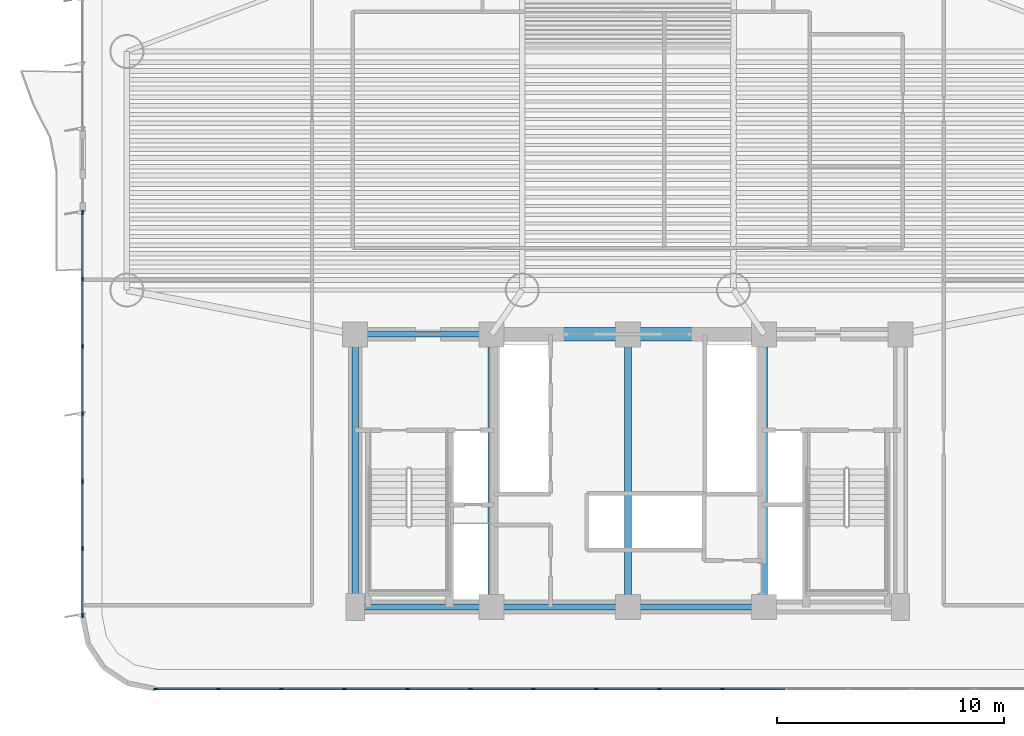
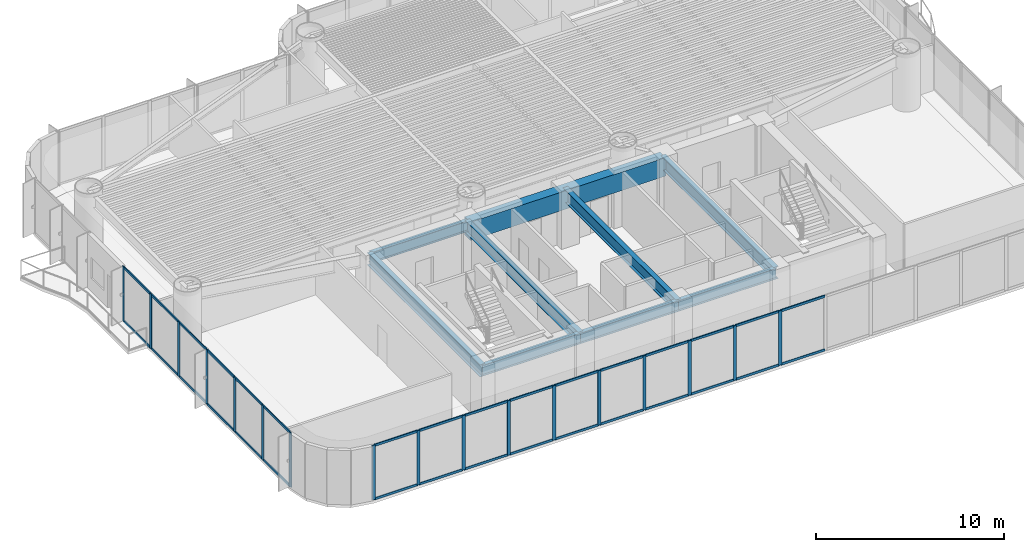
# One storey, part 2 of 16: 49 members, 9 beams, 2 elements without a shape of their own.
"""IFC4 building model written with IfcOpenShell, lengths in metres."""

from ifc_helpers import new_model, si_unit, direction, frame, origin, origin_2d, place, context, subcontext, project, spatial, rectangle, i_section, extrude, source, transform, mapped, material, layer, layer_set, material_profile, profile_set, type_object, element, aggregate, save


model = new_model("IFC4")

# Units and contexts
model_context = context("Model", 3, precision=1e-05, world=origin(), true_north=direction((0.0, 1.0)))
body_context = subcontext(model_context, "Body", "Model", "MODEL_VIEW")
ifc_project = project(units=[si_unit("LENGTHUNIT", "METRE"), si_unit("AREAUNIT", "SQUARE_METRE"), si_unit("VOLUMEUNIT", "CUBIC_METRE"), si_unit("PLANEANGLEUNIT", "RADIAN"), si_unit("MASSUNIT", "GRAM", prefix="KILO")], contexts=[model_context])

# Site, building, storey
site_placement = place(None, origin())
site = spatial("IfcSite", under=ifc_project, at=site_placement, CompositionType="ELEMENT")
building_placement = place(site_placement, origin())
building = spatial("IfcBuilding", under=site, at=building_placement, Name="Brelvock Crest Care Tower", CompositionType="ELEMENT")
storey_placement = place(building_placement, frame((0.0, 0.0, 57.239990234375)))
storey = spatial("IfcBuildingStorey", under=building, at=storey_placement, Name="L14", CompositionType="ELEMENT", Elevation=57.239990234375)

# Beams
ifc_material_1 = material(Name="Concrete S80 (80 MPa)", Category="concrete")
ifc_material_profile_1 = material_profile(ifc_material_1, rectangle(XDim=0.60009765625, YDim=1.199951171875, at=origin_2d()), Name="RC600x1200")
ifc_profile_set_1 = profile_set([ifc_material_profile_1], Name="Concrete S80 (80 MPa)")
beam_type_1 = type_object("IfcBeamType", Name="BM-LN1", PredefinedType="LINTEL", material=ifc_profile_set_1)
shared_shape_1 = source(origin(), body_context, "Body", "SweptSolid", [
    extrude(rectangle(XDim=0.60009765625, YDim=1.199951171875, at=origin_2d()), origin(), (0.0, 0.0, 1.0), 12.0),
])
beam_placement = place(storey_placement, frame((30.0, 18.0, 2.929931640625), z_axis=(1.0, 0.0, 0.0), x_axis=(0.0, 1.0, 0.0)))
element("IfcBeam", 1, at=beam_placement, inside=storey, type_object=beam_type_1, Name="L14 Core Coupling Lintel Beam", PredefinedType="LINTEL", context=body_context, shape_type="MappedRepresentation", body=[
    mapped(shared_shape_1, transform((0.0, 0.0, 0.0), x_axis=(1.0, 0.0, 0.0), y_axis=(0.0, 1.0, 0.0), z_axis=(0.0, 0.0, 1.0), scale=1.0)),
])
ifc_material_2 = material(Name="Steel Grade 350", Category="steel")
ifc_material_profile_2 = material_profile(ifc_material_2, i_section(OverallWidth=0.25, OverallDepth=0.699951171875, WebThickness=0.011962890625, FlangeThickness=0.02001953125, at=origin_2d()), Name="700WB150")
ifc_profile_set_2 = profile_set([ifc_material_profile_2], Name="Steel Grade 350")
beam_type_2 = type_object("IfcBeamType", Name="BM-G4", PredefinedType="BEAM", material=ifc_profile_set_2)
shared_shape_2 = source(origin(), body_context, "Body", "SweptSolid", [
    extrude(i_section(OverallWidth=0.25, OverallDepth=0.699951171875, WebThickness=0.011962890625, FlangeThickness=0.02001953125, at=origin_2d()), origin(), (0.0, 0.0, 1.0), 6.0),
])
for number, where, z_axis, x_axis, name in (
    (2, (24.0, 6.0, 3.179931640625), (1.0, 0.0, 0.0), (0.0, 1.0, 0.0), "BM-CORES-L14-1"),
    (3, (24.0, 18.0, 3.179931640625), (1.0, 0.0, 0.0), (0.0, 1.0, 0.0), "BM-COREN-L14-1"),
    (4, (30.0, 6.0, 3.179931640625), (1.0, 0.0, 0.0), (0.0, 1.0, 0.0), "BM-CORES-L14-2"),
    (5, (36.0, 6.0, 3.179931640625), (1.0, 0.0, 0.0), (0.0, 1.0, 0.0), "BM-CORES-L14-3"),
):
    element("IfcBeam", number, at=place(storey_placement, frame(where, z_axis=z_axis, x_axis=x_axis)), inside=storey, type_object=beam_type_2, Name=name, PredefinedType="BEAM", context=body_context, shape_type="MappedRepresentation", body=[
        mapped(shared_shape_2, transform((0.0, 0.0, 0.0), x_axis=(1.0, 0.0, 0.0), y_axis=(0.0, 1.0, 0.0), z_axis=(0.0, 0.0, 1.0), scale=1.0)),
    ])
ifc_material_profile_3 = material_profile(ifc_material_2, i_section(OverallWidth=0.300048828125, OverallDepth=0.800048828125, WebThickness=0.013916015625, FlangeThickness=0.02197265625, at=origin_2d()), Name="800WB192")
ifc_profile_set_3 = profile_set([ifc_material_profile_3], Name="Steel Grade 350")
beam_type_3 = type_object("IfcBeamType", Name="BM-G5", PredefinedType="BEAM", material=ifc_profile_set_3)
shared_shape_3 = source(origin(), body_context, "Body", "SweptSolid", [
    extrude(i_section(OverallWidth=0.300048828125, OverallDepth=0.800048828125, WebThickness=0.013916015625, FlangeThickness=0.02197265625, at=origin_2d()), origin(), (0.0, 0.0, 1.0), 12.0),
])
for number, where, z_axis, x_axis, name in (
    (6, (24.0, 6.0, 3.130126953125), (0.0, 1.0, 0.0), (-1.0, 0.0, 0.0), "BM-COREX-L14-1"),
    (7, (30.0, 6.0, 3.130126953125), (0.0, 1.0, 0.0), (-1.0, 0.0, 0.0), "BM-COREX-L14-2"),
    (8, (36.0, 6.0, 3.130126953125), (0.0, 1.0, 0.0), (-1.0, 0.0, 0.0), "BM-COREX-L14-3"),
    (9, (42.0, 6.0, 3.130126953125), (0.0, 1.0, 0.0), (-1.0, 0.0, 0.0), "BM-COREX-L14-4"),
):
    element("IfcBeam", number, at=place(storey_placement, frame(where, z_axis=z_axis, x_axis=x_axis)), inside=storey, type_object=beam_type_3, Name=name, PredefinedType="BEAM", context=body_context, shape_type="MappedRepresentation", body=[
        mapped(shared_shape_3, transform((0.0, 0.0, 0.0), x_axis=(1.0, 0.0, 0.0), y_axis=(0.0, 1.0, 0.0), z_axis=(0.0, 0.0, 1.0), scale=1.0)),
    ])

# Curtain wall, members
ifc_material_3 = material(Name="Dark Glass Double Glazed Low-E", Category="glass")
ifc_layer = layer(ifc_material_3, 0.195068359375, Name="CWS-2")
ifc_layer_set = layer_set([ifc_layer], Name="Dark Glass Double Glazed Low-E")
curtain_wall_type = type_object("IfcCurtainWallType", Name="CWS-2", PredefinedType="NOTDEFINED", material=ifc_layer_set)
curtain_wall_1_placement = place(storey_placement, origin())
curtain_wall_1 = element("IfcCurtainWall", 10, at=curtain_wall_1_placement, inside=storey, type_object=curtain_wall_type, Name="L14 Curtain Wall E08", PredefinedType="NOTDEFINED")
ifc_material_4 = material(Name="Aluminium 6063-T6", Category="aluminium")
ifc_material_profile_4 = material_profile(ifc_material_4, rectangle(XDim=0.06494140625, YDim=0.199951171875, at=origin_2d()), Name="ALU65x200")
ifc_profile_set_4 = profile_set([ifc_material_profile_4], Name="Aluminium 6063-T6")
member_type_1 = type_object("IfcMemberType", Name="CWM-1", PredefinedType="MULLION", material=ifc_profile_set_4)
shared_shape_4 = source(origin(), body_context, "Body", "SweptSolid", [
    extrude(rectangle(XDim=0.06494140625, YDim=0.199951171875, at=origin_2d()), origin(), (0.0, 0.0, 1.0), 3.530029296875),
])
member_1_placement = place(storey_placement, frame((40.159912109375, 2.39990234375, 0.0), z_axis=(0.0, 0.0, 1.0), x_axis=(0.0, -1.0, 0.0)))
member_1 = element("IfcMember", 11, at=member_1_placement, type_object=member_type_1, Name="CW-2 mullion 7", PredefinedType="MULLION", context=body_context, shape_type="MappedRepresentation", body=[
    mapped(shared_shape_4, transform((0.0, 0.0, 0.0), x_axis=(1.0, 0.0, 0.0), y_axis=(0.0, 1.0, 0.0), z_axis=(0.0, 0.0, 1.0), scale=1.0)),
])
member_2_placement = place(storey_placement, frame((37.38671875, 2.39990234375, 0.0), z_axis=(0.0, 0.0, 1.0), x_axis=(0.0, -1.0, 0.0)))
member_2 = element("IfcMember", 12, at=member_2_placement, type_object=member_type_1, Name="CW-2 mullion 8", PredefinedType="MULLION", context=body_context, shape_type="MappedRepresentation", body=[
    mapped(shared_shape_4, transform((0.0, 0.0, 0.0), x_axis=(1.0, 0.0, 0.0), y_axis=(0.0, 1.0, 0.0), z_axis=(0.0, 0.0, 1.0), scale=1.0)),
])
member_3_placement = place(storey_placement, frame((34.61328125, 2.39990234375, 0.0), z_axis=(0.0, 0.0, 1.0), x_axis=(0.0, -1.0, 0.0)))
member_3 = element("IfcMember", 13, at=member_3_placement, type_object=member_type_1, Name="CW-2 mullion 9", PredefinedType="MULLION", context=body_context, shape_type="MappedRepresentation", body=[
    mapped(shared_shape_4, transform((0.0, 0.0, 0.0), x_axis=(1.0, 0.0, 0.0), y_axis=(0.0, 1.0, 0.0), z_axis=(0.0, 0.0, 1.0), scale=1.0)),
])
member_4_placement = place(storey_placement, frame((31.840087890625, 2.39990234375, 0.0), z_axis=(0.0, 0.0, 1.0), x_axis=(0.0, -1.0, 0.0)))
member_4 = element("IfcMember", 14, at=member_4_placement, type_object=member_type_1, Name="CW-2 mullion 10", PredefinedType="MULLION", context=body_context, shape_type="MappedRepresentation", body=[
    mapped(shared_shape_4, transform((0.0, 0.0, 0.0), x_axis=(1.0, 0.0, 0.0), y_axis=(0.0, 1.0, 0.0), z_axis=(0.0, 0.0, 1.0), scale=1.0)),
])
member_5_placement = place(storey_placement, frame((29.066650390625, 2.39990234375, 0.0), z_axis=(0.0, 0.0, 1.0), x_axis=(0.0, -1.0, 0.0)))
member_5 = element("IfcMember", 15, at=member_5_placement, type_object=member_type_1, Name="CW-2 mullion 11", PredefinedType="MULLION", context=body_context, shape_type="MappedRepresentation", body=[
    mapped(shared_shape_4, transform((0.0, 0.0, 0.0), x_axis=(1.0, 0.0, 0.0), y_axis=(0.0, 1.0, 0.0), z_axis=(0.0, 0.0, 1.0), scale=1.0)),
])
member_6_placement = place(storey_placement, frame((26.293212890625, 2.39990234375, 0.0), z_axis=(0.0, 0.0, 1.0), x_axis=(0.0, -1.0, 0.0)))
member_6 = element("IfcMember", 16, at=member_6_placement, type_object=member_type_1, Name="CW-2 mullion 12", PredefinedType="MULLION", context=body_context, shape_type="MappedRepresentation", body=[
    mapped(shared_shape_4, transform((0.0, 0.0, 0.0), x_axis=(1.0, 0.0, 0.0), y_axis=(0.0, 1.0, 0.0), z_axis=(0.0, 0.0, 1.0), scale=1.0)),
])
member_7_placement = place(storey_placement, frame((23.52001953125, 2.39990234375, 0.0), z_axis=(0.0, 0.0, 1.0), x_axis=(0.0, -1.0, 0.0)))
member_7 = element("IfcMember", 17, at=member_7_placement, type_object=member_type_1, Name="CW-2 mullion 13", PredefinedType="MULLION", context=body_context, shape_type="MappedRepresentation", body=[
    mapped(shared_shape_4, transform((0.0, 0.0, 0.0), x_axis=(1.0, 0.0, 0.0), y_axis=(0.0, 1.0, 0.0), z_axis=(0.0, 0.0, 1.0), scale=1.0)),
])
member_8_placement = place(storey_placement, frame((20.74658203125, 2.39990234375, 0.0), z_axis=(0.0, 0.0, 1.0), x_axis=(0.0, -1.0, 0.0)))
member_8 = element("IfcMember", 18, at=member_8_placement, type_object=member_type_1, Name="CW-2 mullion 14", PredefinedType="MULLION", context=body_context, shape_type="MappedRepresentation", body=[
    mapped(shared_shape_4, transform((0.0, 0.0, 0.0), x_axis=(1.0, 0.0, 0.0), y_axis=(0.0, 1.0, 0.0), z_axis=(0.0, 0.0, 1.0), scale=1.0)),
])
member_9_placement = place(storey_placement, frame((17.973388671875, 2.39990234375, 0.0), z_axis=(0.0, 0.0, 1.0), x_axis=(0.0, -1.0, 0.0)))
member_9 = element("IfcMember", 19, at=member_9_placement, type_object=member_type_1, Name="CW-2 mullion 15", PredefinedType="MULLION", context=body_context, shape_type="MappedRepresentation", body=[
    mapped(shared_shape_4, transform((0.0, 0.0, 0.0), x_axis=(1.0, 0.0, 0.0), y_axis=(0.0, 1.0, 0.0), z_axis=(0.0, 0.0, 1.0), scale=1.0)),
])
member_10_placement = place(storey_placement, frame((15.232421875, 2.39990234375, 0.0), z_axis=(0.0, 0.0, 1.0), x_axis=(0.0, -1.0, 0.0)))
member_10 = element("IfcMember", 20, at=member_10_placement, type_object=member_type_1, Name="CW-2 mullion 16", PredefinedType="MULLION", context=body_context, shape_type="MappedRepresentation", body=[
    mapped(shared_shape_4, transform((0.0, 0.0, 0.0), x_axis=(1.0, 0.0, 0.0), y_axis=(0.0, 1.0, 0.0), z_axis=(0.0, 0.0, 1.0), scale=1.0)),
])

curtain_wall_2_placement = place(storey_placement, origin())
curtain_wall_2 = element("IfcCurtainWall", 21, at=curtain_wall_2_placement, inside=storey, type_object=curtain_wall_type, Name="L14 Curtain Wall E13A", PredefinedType="NOTDEFINED")
member_11_placement = place(storey_placement, frame((12.0, 5.632568359375, 0.0), z_axis=(0.0, 0.0, 1.0), x_axis=(-1.0, 0.0, 0.0)))
member_11 = element("IfcMember", 22, at=member_11_placement, type_object=member_type_1, Name="CW-2 mullion 1", PredefinedType="MULLION", context=body_context, shape_type="MappedRepresentation", body=[
    mapped(shared_shape_4, transform((0.0, 0.0, 0.0), x_axis=(1.0, 0.0, 0.0), y_axis=(0.0, 1.0, 0.0), z_axis=(0.0, 0.0, 1.0), scale=1.0)),
])
member_12_placement = place(storey_placement, frame((12.0, 8.566650390625, 0.0), z_axis=(0.0, 0.0, 1.0), x_axis=(-1.0, 0.0, 0.0)))
member_12 = element("IfcMember", 23, at=member_12_placement, type_object=member_type_1, Name="CW-2 mullion 2", PredefinedType="MULLION", context=body_context, shape_type="MappedRepresentation", body=[
    mapped(shared_shape_4, transform((0.0, 0.0, 0.0), x_axis=(1.0, 0.0, 0.0), y_axis=(0.0, 1.0, 0.0), z_axis=(0.0, 0.0, 1.0), scale=1.0)),
])
member_13_placement = place(storey_placement, frame((12.0, 11.533447265625, 0.0), z_axis=(0.0, 0.0, 1.0), x_axis=(-1.0, 0.0, 0.0)))
member_13 = element("IfcMember", 24, at=member_13_placement, type_object=member_type_1, Name="CW-2 mullion 3", PredefinedType="MULLION", context=body_context, shape_type="MappedRepresentation", body=[
    mapped(shared_shape_4, transform((0.0, 0.0, 0.0), x_axis=(1.0, 0.0, 0.0), y_axis=(0.0, 1.0, 0.0), z_axis=(0.0, 0.0, 1.0), scale=1.0)),
])
member_14_placement = place(storey_placement, frame((12.0, 14.5, 0.0), z_axis=(0.0, 0.0, 1.0), x_axis=(-1.0, 0.0, 0.0)))
member_14 = element("IfcMember", 25, at=member_14_placement, type_object=member_type_1, Name="CW-2 mullion 4", PredefinedType="MULLION", context=body_context, shape_type="MappedRepresentation", body=[
    mapped(shared_shape_4, transform((0.0, 0.0, 0.0), x_axis=(1.0, 0.0, 0.0), y_axis=(0.0, 1.0, 0.0), z_axis=(0.0, 0.0, 1.0), scale=1.0)),
])
member_15_placement = place(storey_placement, frame((12.0, 17.466552734375, 0.0), z_axis=(0.0, 0.0, 1.0), x_axis=(-1.0, 0.0, 0.0)))
member_15 = element("IfcMember", 26, at=member_15_placement, type_object=member_type_1, Name="CW-2 mullion 5", PredefinedType="MULLION", context=body_context, shape_type="MappedRepresentation", body=[
    mapped(shared_shape_4, transform((0.0, 0.0, 0.0), x_axis=(1.0, 0.0, 0.0), y_axis=(0.0, 1.0, 0.0), z_axis=(0.0, 0.0, 1.0), scale=1.0)),
])
member_16_placement = place(storey_placement, frame((12.0, 20.433349609375, 0.0), z_axis=(0.0, 0.0, 1.0), x_axis=(-1.0, 0.0, 0.0)))
member_16 = element("IfcMember", 27, at=member_16_placement, type_object=member_type_1, Name="CW-2 mullion 6", PredefinedType="MULLION", context=body_context, shape_type="MappedRepresentation", body=[
    mapped(shared_shape_4, transform((0.0, 0.0, 0.0), x_axis=(1.0, 0.0, 0.0), y_axis=(0.0, 1.0, 0.0), z_axis=(0.0, 0.0, 1.0), scale=1.0)),
])
member_17_placement = place(storey_placement, frame((12.0, 23.367431640625, 0.0), z_axis=(0.0, 0.0, 1.0), x_axis=(-1.0, 0.0, 0.0)))
member_17 = element("IfcMember", 28, at=member_17_placement, type_object=member_type_1, Name="CW-2 mullion 7", PredefinedType="MULLION", context=body_context, shape_type="MappedRepresentation", body=[
    mapped(shared_shape_4, transform((0.0, 0.0, 0.0), x_axis=(1.0, 0.0, 0.0), y_axis=(0.0, 1.0, 0.0), z_axis=(0.0, 0.0, 1.0), scale=1.0)),
])

# Member
ifc_material_profile_5 = material_profile(ifc_material_4, rectangle(XDim=0.06494140625, YDim=0.14990234375, at=origin_2d()), Name="ALU65x150")
ifc_profile_set_5 = profile_set([ifc_material_profile_5], Name="Aluminium 6063-T6")
member_type_2 = type_object("IfcMemberType", Name="CWT-1", PredefinedType="USERDEFINED", material=ifc_profile_set_5)
shared_shape_5 = source(origin(), body_context, "Body", "SweptSolid", [
    extrude(rectangle(XDim=0.06494140625, YDim=0.14990234375, at=origin_2d()), origin(), (0.0, 0.0, 1.0), 2.676025390625),
])
member_18_placement = place(storey_placement, frame((17.94091796875, 2.39990234375, 0.032470703125), z_axis=(-1.0, 0.0, 0.0), x_axis=(0.0, -1.0, 0.0)))
member_18 = element("IfcMember", 29, at=member_18_placement, type_object=member_type_2, Name="CW-2 transom 15.1", ObjectType="TRANSOM", PredefinedType="USERDEFINED", context=body_context, shape_type="MappedRepresentation", body=[
    mapped(shared_shape_5, transform((0.0, 0.0, 0.0), x_axis=(1.0, 0.0, 0.0), y_axis=(0.0, 1.0, 0.0), z_axis=(0.0, 0.0, 1.0), scale=1.0)),
])

member_19_placement = place(storey_placement, frame((17.94091796875, 2.39990234375, 3.49755859375), z_axis=(-1.0, 0.0, 0.0), x_axis=(0.0, -1.0, 0.0)))
member_19 = element("IfcMember", 30, at=member_19_placement, type_object=member_type_2, Name="CW-2 transom 15.2", ObjectType="TRANSOM", PredefinedType="USERDEFINED", context=body_context, shape_type="MappedRepresentation", body=[
    mapped(shared_shape_5, transform((0.0, 0.0, 0.0), x_axis=(1.0, 0.0, 0.0), y_axis=(0.0, 1.0, 0.0), z_axis=(0.0, 0.0, 1.0), scale=1.0)),
])

shared_shape_6 = source(origin(), body_context, "Body", "SweptSolid", [
    extrude(rectangle(XDim=0.06494140625, YDim=0.14990234375, at=origin_2d()), origin(), (0.0, 0.0, 1.0), 2.708251953125),
])
member_20_placement = place(storey_placement, frame((40.12744140625, 2.39990234375, 0.032470703125), z_axis=(-1.0, 0.0, 0.0), x_axis=(0.0, -1.0, 0.0)))
member_20 = element("IfcMember", 31, at=member_20_placement, type_object=member_type_2, Name="CW-2 transom 7.1", ObjectType="TRANSOM", PredefinedType="USERDEFINED", context=body_context, shape_type="MappedRepresentation", body=[
    mapped(shared_shape_6, transform((0.0, 0.0, 0.0), x_axis=(1.0, 0.0, 0.0), y_axis=(0.0, 1.0, 0.0), z_axis=(0.0, 0.0, 1.0), scale=1.0)),
])

member_21_placement = place(storey_placement, frame((40.12744140625, 2.39990234375, 3.49755859375), z_axis=(-1.0, 0.0, 0.0), x_axis=(0.0, -1.0, 0.0)))
member_21 = element("IfcMember", 32, at=member_21_placement, type_object=member_type_2, Name="CW-2 transom 7.2", ObjectType="TRANSOM", PredefinedType="USERDEFINED", context=body_context, shape_type="MappedRepresentation", body=[
    mapped(shared_shape_6, transform((0.0, 0.0, 0.0), x_axis=(1.0, 0.0, 0.0), y_axis=(0.0, 1.0, 0.0), z_axis=(0.0, 0.0, 1.0), scale=1.0)),
])

member_22_placement = place(storey_placement, frame((34.580810546875, 2.39990234375, 0.032470703125), z_axis=(-1.0, 0.0, 0.0), x_axis=(0.0, -1.0, 0.0)))
member_22 = element("IfcMember", 33, at=member_22_placement, type_object=member_type_2, Name="CW-2 transom 9.1", ObjectType="TRANSOM", PredefinedType="USERDEFINED", context=body_context, shape_type="MappedRepresentation", body=[
    mapped(shared_shape_6, transform((0.0, 0.0, 0.0), x_axis=(1.0, 0.0, 0.0), y_axis=(0.0, 1.0, 0.0), z_axis=(0.0, 0.0, 1.0), scale=1.0)),
])

member_23_placement = place(storey_placement, frame((34.580810546875, 2.39990234375, 3.49755859375), z_axis=(-1.0, 0.0, 0.0), x_axis=(0.0, -1.0, 0.0)))
member_23 = element("IfcMember", 34, at=member_23_placement, type_object=member_type_2, Name="CW-2 transom 9.2", ObjectType="TRANSOM", PredefinedType="USERDEFINED", context=body_context, shape_type="MappedRepresentation", body=[
    mapped(shared_shape_6, transform((0.0, 0.0, 0.0), x_axis=(1.0, 0.0, 0.0), y_axis=(0.0, 1.0, 0.0), z_axis=(0.0, 0.0, 1.0), scale=1.0)),
])

member_24_placement = place(storey_placement, frame((29.0341796875, 2.39990234375, 0.032470703125), z_axis=(-1.0, 0.0, 0.0), x_axis=(0.0, -1.0, 0.0)))
member_24 = element("IfcMember", 35, at=member_24_placement, type_object=member_type_2, Name="CW-2 transom 11.1", ObjectType="TRANSOM", PredefinedType="USERDEFINED", context=body_context, shape_type="MappedRepresentation", body=[
    mapped(shared_shape_6, transform((0.0, 0.0, 0.0), x_axis=(1.0, 0.0, 0.0), y_axis=(0.0, 1.0, 0.0), z_axis=(0.0, 0.0, 1.0), scale=1.0)),
])

member_25_placement = place(storey_placement, frame((29.0341796875, 2.39990234375, 3.49755859375), z_axis=(-1.0, 0.0, 0.0), x_axis=(0.0, -1.0, 0.0)))
member_25 = element("IfcMember", 36, at=member_25_placement, type_object=member_type_2, Name="CW-2 transom 11.2", ObjectType="TRANSOM", PredefinedType="USERDEFINED", context=body_context, shape_type="MappedRepresentation", body=[
    mapped(shared_shape_6, transform((0.0, 0.0, 0.0), x_axis=(1.0, 0.0, 0.0), y_axis=(0.0, 1.0, 0.0), z_axis=(0.0, 0.0, 1.0), scale=1.0)),
])

member_26_placement = place(storey_placement, frame((26.2607421875, 2.39990234375, 0.032470703125), z_axis=(-1.0, 0.0, 0.0), x_axis=(0.0, -1.0, 0.0)))
member_26 = element("IfcMember", 37, at=member_26_placement, type_object=member_type_2, Name="CW-2 transom 12.1", ObjectType="TRANSOM", PredefinedType="USERDEFINED", context=body_context, shape_type="MappedRepresentation", body=[
    mapped(shared_shape_6, transform((0.0, 0.0, 0.0), x_axis=(1.0, 0.0, 0.0), y_axis=(0.0, 1.0, 0.0), z_axis=(0.0, 0.0, 1.0), scale=1.0)),
])

member_27_placement = place(storey_placement, frame((26.2607421875, 2.39990234375, 3.49755859375), z_axis=(-1.0, 0.0, 0.0), x_axis=(0.0, -1.0, 0.0)))
member_27 = element("IfcMember", 38, at=member_27_placement, type_object=member_type_2, Name="CW-2 transom 12.2", ObjectType="TRANSOM", PredefinedType="USERDEFINED", context=body_context, shape_type="MappedRepresentation", body=[
    mapped(shared_shape_6, transform((0.0, 0.0, 0.0), x_axis=(1.0, 0.0, 0.0), y_axis=(0.0, 1.0, 0.0), z_axis=(0.0, 0.0, 1.0), scale=1.0)),
])

member_28_placement = place(storey_placement, frame((20.714111328125, 2.39990234375, 0.032470703125), z_axis=(-1.0, 0.0, 0.0), x_axis=(0.0, -1.0, 0.0)))
member_28 = element("IfcMember", 39, at=member_28_placement, type_object=member_type_2, Name="CW-2 transom 14.1", ObjectType="TRANSOM", PredefinedType="USERDEFINED", context=body_context, shape_type="MappedRepresentation", body=[
    mapped(shared_shape_6, transform((0.0, 0.0, 0.0), x_axis=(1.0, 0.0, 0.0), y_axis=(0.0, 1.0, 0.0), z_axis=(0.0, 0.0, 1.0), scale=1.0)),
])

member_29_placement = place(storey_placement, frame((20.714111328125, 2.39990234375, 3.49755859375), z_axis=(-1.0, 0.0, 0.0), x_axis=(0.0, -1.0, 0.0)))
member_29 = element("IfcMember", 40, at=member_29_placement, type_object=member_type_2, Name="CW-2 transom 14.2", ObjectType="TRANSOM", PredefinedType="USERDEFINED", context=body_context, shape_type="MappedRepresentation", body=[
    mapped(shared_shape_6, transform((0.0, 0.0, 0.0), x_axis=(1.0, 0.0, 0.0), y_axis=(0.0, 1.0, 0.0), z_axis=(0.0, 0.0, 1.0), scale=1.0)),
])

shared_shape_7 = source(origin(), body_context, "Body", "SweptSolid", [
    extrude(rectangle(XDim=0.06494140625, YDim=0.14990234375, at=origin_2d()), origin(), (0.0, 0.0, 1.0), 2.70849609375),
])
member_30_placement = place(storey_placement, frame((42.90087890625, 2.39990234375, 0.032470703125), z_axis=(-1.0, 0.0, 0.0), x_axis=(0.0, -1.0, 0.0)))
member_30 = element("IfcMember", 41, at=member_30_placement, type_object=member_type_2, Name="CW-2 transom 6.1", ObjectType="TRANSOM", PredefinedType="USERDEFINED", context=body_context, shape_type="MappedRepresentation", body=[
    mapped(shared_shape_7, transform((0.0, 0.0, 0.0), x_axis=(1.0, 0.0, 0.0), y_axis=(0.0, 1.0, 0.0), z_axis=(0.0, 0.0, 1.0), scale=1.0)),
])

member_31_placement = place(storey_placement, frame((42.90087890625, 2.39990234375, 3.49755859375), z_axis=(-1.0, 0.0, 0.0), x_axis=(0.0, -1.0, 0.0)))
member_31 = element("IfcMember", 42, at=member_31_placement, type_object=member_type_2, Name="CW-2 transom 6.2", ObjectType="TRANSOM", PredefinedType="USERDEFINED", context=body_context, shape_type="MappedRepresentation", body=[
    mapped(shared_shape_7, transform((0.0, 0.0, 0.0), x_axis=(1.0, 0.0, 0.0), y_axis=(0.0, 1.0, 0.0), z_axis=(0.0, 0.0, 1.0), scale=1.0)),
])

member_32_placement = place(storey_placement, frame((37.354248046875, 2.39990234375, 0.032470703125), z_axis=(-1.0, 0.0, 0.0), x_axis=(0.0, -1.0, 0.0)))
member_32 = element("IfcMember", 43, at=member_32_placement, type_object=member_type_2, Name="CW-2 transom 8.1", ObjectType="TRANSOM", PredefinedType="USERDEFINED", context=body_context, shape_type="MappedRepresentation", body=[
    mapped(shared_shape_7, transform((0.0, 0.0, 0.0), x_axis=(1.0, 0.0, 0.0), y_axis=(0.0, 1.0, 0.0), z_axis=(0.0, 0.0, 1.0), scale=1.0)),
])

member_33_placement = place(storey_placement, frame((37.354248046875, 2.39990234375, 3.49755859375), z_axis=(-1.0, 0.0, 0.0), x_axis=(0.0, -1.0, 0.0)))
member_33 = element("IfcMember", 44, at=member_33_placement, type_object=member_type_2, Name="CW-2 transom 8.2", ObjectType="TRANSOM", PredefinedType="USERDEFINED", context=body_context, shape_type="MappedRepresentation", body=[
    mapped(shared_shape_7, transform((0.0, 0.0, 0.0), x_axis=(1.0, 0.0, 0.0), y_axis=(0.0, 1.0, 0.0), z_axis=(0.0, 0.0, 1.0), scale=1.0)),
])

member_34_placement = place(storey_placement, frame((31.8076171875, 2.39990234375, 0.032470703125), z_axis=(-1.0, 0.0, 0.0), x_axis=(0.0, -1.0, 0.0)))
member_34 = element("IfcMember", 45, at=member_34_placement, type_object=member_type_2, Name="CW-2 transom 10.1", ObjectType="TRANSOM", PredefinedType="USERDEFINED", context=body_context, shape_type="MappedRepresentation", body=[
    mapped(shared_shape_7, transform((0.0, 0.0, 0.0), x_axis=(1.0, 0.0, 0.0), y_axis=(0.0, 1.0, 0.0), z_axis=(0.0, 0.0, 1.0), scale=1.0)),
])

member_35_placement = place(storey_placement, frame((31.8076171875, 2.39990234375, 3.49755859375), z_axis=(-1.0, 0.0, 0.0), x_axis=(0.0, -1.0, 0.0)))
member_35 = element("IfcMember", 46, at=member_35_placement, type_object=member_type_2, Name="CW-2 transom 10.2", ObjectType="TRANSOM", PredefinedType="USERDEFINED", context=body_context, shape_type="MappedRepresentation", body=[
    mapped(shared_shape_7, transform((0.0, 0.0, 0.0), x_axis=(1.0, 0.0, 0.0), y_axis=(0.0, 1.0, 0.0), z_axis=(0.0, 0.0, 1.0), scale=1.0)),
])

member_36_placement = place(storey_placement, frame((23.487548828125, 2.39990234375, 0.032470703125), z_axis=(-1.0, 0.0, 0.0), x_axis=(0.0, -1.0, 0.0)))
member_36 = element("IfcMember", 47, at=member_36_placement, type_object=member_type_2, Name="CW-2 transom 13.1", ObjectType="TRANSOM", PredefinedType="USERDEFINED", context=body_context, shape_type="MappedRepresentation", body=[
    mapped(shared_shape_7, transform((0.0, 0.0, 0.0), x_axis=(1.0, 0.0, 0.0), y_axis=(0.0, 1.0, 0.0), z_axis=(0.0, 0.0, 1.0), scale=1.0)),
])

member_37_placement = place(storey_placement, frame((23.487548828125, 2.39990234375, 3.49755859375), z_axis=(-1.0, 0.0, 0.0), x_axis=(0.0, -1.0, 0.0)))
member_37 = element("IfcMember", 48, at=member_37_placement, type_object=member_type_2, Name="CW-2 transom 13.2", ObjectType="TRANSOM", PredefinedType="USERDEFINED", context=body_context, shape_type="MappedRepresentation", body=[
    mapped(shared_shape_7, transform((0.0, 0.0, 0.0), x_axis=(1.0, 0.0, 0.0), y_axis=(0.0, 1.0, 0.0), z_axis=(0.0, 0.0, 1.0), scale=1.0)),
])

aggregate(curtain_wall_1, [member_1, member_2, member_3, member_4, member_5, member_6, member_7, member_8, member_9, member_10, member_30, member_31, member_20, member_21, member_32, member_33, member_22, member_23, member_34, member_35, member_24, member_25, member_26, member_27, member_36, member_37, member_28, member_29, member_18, member_19])

shared_shape_8 = source(origin(), body_context, "Body", "SweptSolid", [
    extrude(rectangle(XDim=0.06494140625, YDim=0.14990234375, at=origin_2d()), origin(), (0.0, 0.0, 1.0), 2.869140625),
])
member_38_placement = place(storey_placement, frame((12.0, 5.6650390625, 0.032470703125), z_axis=(0.0, 1.0, 0.0), x_axis=(-1.0, 0.0, 0.0)))
member_38 = element("IfcMember", 49, at=member_38_placement, type_object=member_type_2, Name="CW-2 transom 1.1", ObjectType="TRANSOM", PredefinedType="USERDEFINED", context=body_context, shape_type="MappedRepresentation", body=[
    mapped(shared_shape_8, transform((0.0, 0.0, 0.0), x_axis=(1.0, 0.0, 0.0), y_axis=(0.0, 1.0, 0.0), z_axis=(0.0, 0.0, 1.0), scale=1.0)),
])

member_39_placement = place(storey_placement, frame((12.0, 5.6650390625, 3.49755859375), z_axis=(0.0, 1.0, 0.0), x_axis=(-1.0, 0.0, 0.0)))
member_39 = element("IfcMember", 50, at=member_39_placement, type_object=member_type_2, Name="CW-2 transom 1.2", ObjectType="TRANSOM", PredefinedType="USERDEFINED", context=body_context, shape_type="MappedRepresentation", body=[
    mapped(shared_shape_8, transform((0.0, 0.0, 0.0), x_axis=(1.0, 0.0, 0.0), y_axis=(0.0, 1.0, 0.0), z_axis=(0.0, 0.0, 1.0), scale=1.0)),
])

member_40_placement = place(storey_placement, frame((12.0, 20.4658203125, 0.032470703125), z_axis=(0.0, 1.0, 0.0), x_axis=(-1.0, 0.0, 0.0)))
member_40 = element("IfcMember", 51, at=member_40_placement, type_object=member_type_2, Name="CW-2 transom 6.1", ObjectType="TRANSOM", PredefinedType="USERDEFINED", context=body_context, shape_type="MappedRepresentation", body=[
    mapped(shared_shape_8, transform((0.0, 0.0, 0.0), x_axis=(1.0, 0.0, 0.0), y_axis=(0.0, 1.0, 0.0), z_axis=(0.0, 0.0, 1.0), scale=1.0)),
])

member_41_placement = place(storey_placement, frame((12.0, 20.4658203125, 3.49755859375), z_axis=(0.0, 1.0, 0.0), x_axis=(-1.0, 0.0, 0.0)))
member_41 = element("IfcMember", 52, at=member_41_placement, type_object=member_type_2, Name="CW-2 transom 6.2", ObjectType="TRANSOM", PredefinedType="USERDEFINED", context=body_context, shape_type="MappedRepresentation", body=[
    mapped(shared_shape_8, transform((0.0, 0.0, 0.0), x_axis=(1.0, 0.0, 0.0), y_axis=(0.0, 1.0, 0.0), z_axis=(0.0, 0.0, 1.0), scale=1.0)),
])

shared_shape_9 = source(origin(), body_context, "Body", "SweptSolid", [
    extrude(rectangle(XDim=0.06494140625, YDim=0.14990234375, at=origin_2d()), origin(), (0.0, 0.0, 1.0), 2.901611328125),
])
member_42_placement = place(storey_placement, frame((12.0, 8.59912109375, 0.032470703125), z_axis=(0.0, 1.0, 0.0), x_axis=(-1.0, 0.0, 0.0)))
member_42 = element("IfcMember", 53, at=member_42_placement, type_object=member_type_2, Name="CW-2 transom 2.1", ObjectType="TRANSOM", PredefinedType="USERDEFINED", context=body_context, shape_type="MappedRepresentation", body=[
    mapped(shared_shape_9, transform((0.0, 0.0, 0.0), x_axis=(1.0, 0.0, 0.0), y_axis=(0.0, 1.0, 0.0), z_axis=(0.0, 0.0, 1.0), scale=1.0)),
])

member_43_placement = place(storey_placement, frame((12.0, 8.59912109375, 3.49755859375), z_axis=(0.0, 1.0, 0.0), x_axis=(-1.0, 0.0, 0.0)))
member_43 = element("IfcMember", 54, at=member_43_placement, type_object=member_type_2, Name="CW-2 transom 2.2", ObjectType="TRANSOM", PredefinedType="USERDEFINED", context=body_context, shape_type="MappedRepresentation", body=[
    mapped(shared_shape_9, transform((0.0, 0.0, 0.0), x_axis=(1.0, 0.0, 0.0), y_axis=(0.0, 1.0, 0.0), z_axis=(0.0, 0.0, 1.0), scale=1.0)),
])

member_44_placement = place(storey_placement, frame((12.0, 11.56591796875, 0.032470703125), z_axis=(0.0, 1.0, 0.0), x_axis=(-1.0, 0.0, 0.0)))
member_44 = element("IfcMember", 55, at=member_44_placement, type_object=member_type_2, Name="CW-2 transom 3.1", ObjectType="TRANSOM", PredefinedType="USERDEFINED", context=body_context, shape_type="MappedRepresentation", body=[
    mapped(shared_shape_9, transform((0.0, 0.0, 0.0), x_axis=(1.0, 0.0, 0.0), y_axis=(0.0, 1.0, 0.0), z_axis=(0.0, 0.0, 1.0), scale=1.0)),
])

member_45_placement = place(storey_placement, frame((12.0, 11.56591796875, 3.49755859375), z_axis=(0.0, 1.0, 0.0), x_axis=(-1.0, 0.0, 0.0)))
member_45 = element("IfcMember", 56, at=member_45_placement, type_object=member_type_2, Name="CW-2 transom 3.2", ObjectType="TRANSOM", PredefinedType="USERDEFINED", context=body_context, shape_type="MappedRepresentation", body=[
    mapped(shared_shape_9, transform((0.0, 0.0, 0.0), x_axis=(1.0, 0.0, 0.0), y_axis=(0.0, 1.0, 0.0), z_axis=(0.0, 0.0, 1.0), scale=1.0)),
])

member_46_placement = place(storey_placement, frame((12.0, 14.532470703125, 0.032470703125), z_axis=(0.0, 1.0, 0.0), x_axis=(-1.0, 0.0, 0.0)))
member_46 = element("IfcMember", 57, at=member_46_placement, type_object=member_type_2, Name="CW-2 transom 4.1", ObjectType="TRANSOM", PredefinedType="USERDEFINED", context=body_context, shape_type="MappedRepresentation", body=[
    mapped(shared_shape_9, transform((0.0, 0.0, 0.0), x_axis=(1.0, 0.0, 0.0), y_axis=(0.0, 1.0, 0.0), z_axis=(0.0, 0.0, 1.0), scale=1.0)),
])

member_47_placement = place(storey_placement, frame((12.0, 14.532470703125, 3.49755859375), z_axis=(0.0, 1.0, 0.0), x_axis=(-1.0, 0.0, 0.0)))
member_47 = element("IfcMember", 58, at=member_47_placement, type_object=member_type_2, Name="CW-2 transom 4.2", ObjectType="TRANSOM", PredefinedType="USERDEFINED", context=body_context, shape_type="MappedRepresentation", body=[
    mapped(shared_shape_9, transform((0.0, 0.0, 0.0), x_axis=(1.0, 0.0, 0.0), y_axis=(0.0, 1.0, 0.0), z_axis=(0.0, 0.0, 1.0), scale=1.0)),
])

member_48_placement = place(storey_placement, frame((12.0, 17.499267578125, 0.032470703125), z_axis=(0.0, 1.0, 0.0), x_axis=(-1.0, 0.0, 0.0)))
member_48 = element("IfcMember", 59, at=member_48_placement, type_object=member_type_2, Name="CW-2 transom 5.1", ObjectType="TRANSOM", PredefinedType="USERDEFINED", context=body_context, shape_type="MappedRepresentation", body=[
    mapped(shared_shape_9, transform((0.0, 0.0, 0.0), x_axis=(1.0, 0.0, 0.0), y_axis=(0.0, 1.0, 0.0), z_axis=(0.0, 0.0, 1.0), scale=1.0)),
])

member_49_placement = place(storey_placement, frame((12.0, 17.499267578125, 3.49755859375), z_axis=(0.0, 1.0, 0.0), x_axis=(-1.0, 0.0, 0.0)))
member_49 = element("IfcMember", 60, at=member_49_placement, type_object=member_type_2, Name="CW-2 transom 5.2", ObjectType="TRANSOM", PredefinedType="USERDEFINED", context=body_context, shape_type="MappedRepresentation", body=[
    mapped(shared_shape_9, transform((0.0, 0.0, 0.0), x_axis=(1.0, 0.0, 0.0), y_axis=(0.0, 1.0, 0.0), z_axis=(0.0, 0.0, 1.0), scale=1.0)),
])

aggregate(curtain_wall_2, [member_11, member_12, member_13, member_14, member_15, member_16, member_17, member_38, member_39, member_42, member_43, member_44, member_45, member_46, member_47, member_48, member_49, member_40, member_41])

save(model, "model.ifc")
